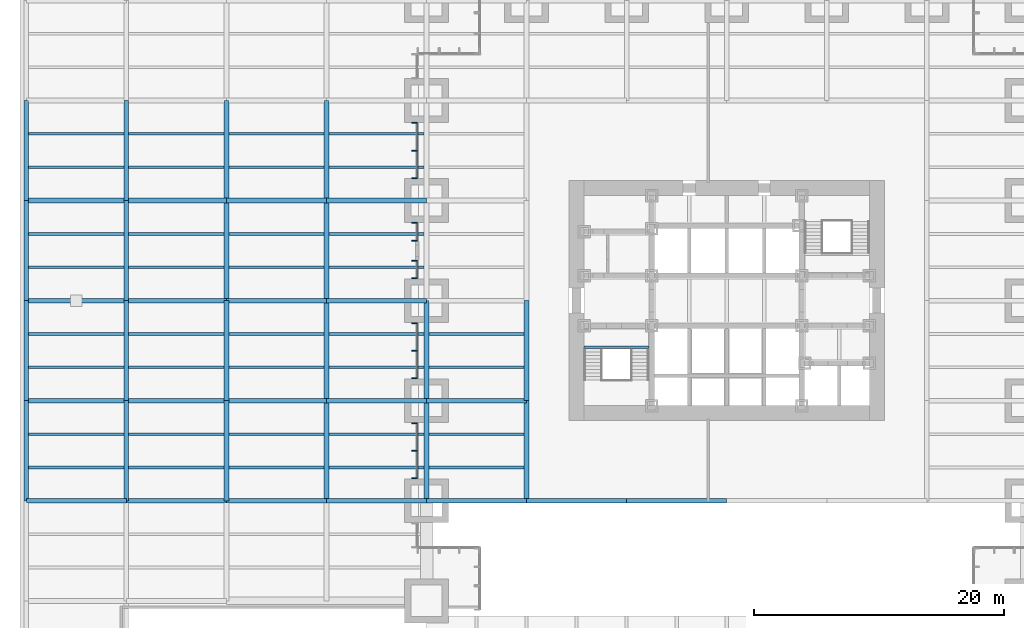
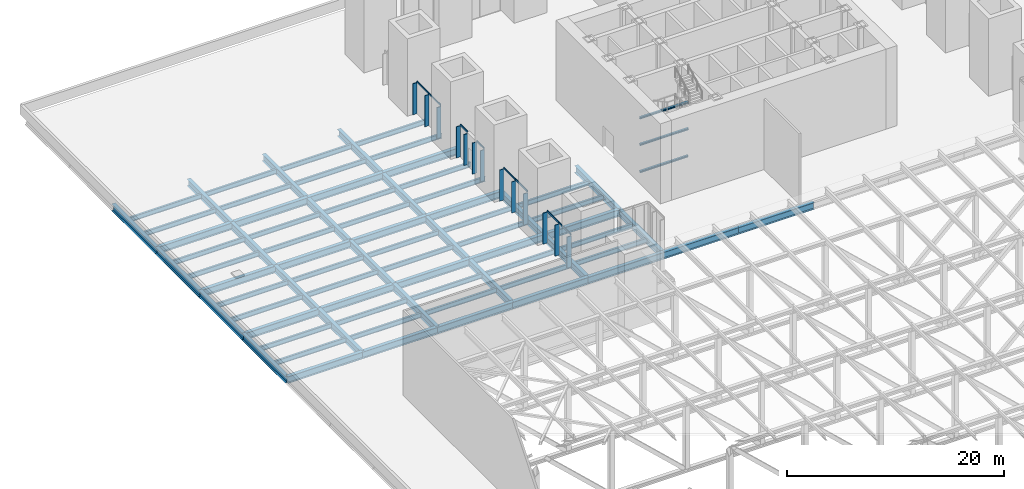
# One storey, part 7 of 20: 79 beams, 21 members, 5 elements without a shape of their own.
"""IFC4 building model written with IfcOpenShell, lengths in metres."""

import ifcopenshell
import ifcopenshell.guid

model = None  # the IFC model being written
_history = None  # IfcOwnerHistory: only IFC2X3 demands one
_inside = {}  # id of a spatial element -> (the spatial element, [elements in it])
_under = {}  # id of a project, library or spatial element -> (it, [spatial elements below it])
_declared = {}  # id of a project -> (the project, [libraries it declares])
_typed = {}  # id of a type object -> (the type object, [elements of that type])
_made_of = {}  # id of a material, layer set ... -> (it, [elements and type objects made of it])


def new_model(schema):
    """Start an empty IFC model of exactly this schema.

    Asked for "IFC4X3", IfcOpenShell would pick the latest addendum, in which some entities
    have other attributes; the version numbers below select the first issue.
    IFC2X3 requires an IfcOwnerHistory on every rooted entity: one is made here for all.
    """
    global model, _history
    if schema == "IFC4X3":
        model = ifcopenshell.file(schema_version=(4, 3, 0, 0))
    else:
        model = ifcopenshell.file(schema=schema)
    _inside.clear()
    _under.clear()
    _declared.clear()
    _typed.clear()
    _made_of.clear()
    _history = None
    if model.schema == "IFC2X3":
        org = make("IfcOrganization", Name="unknown")
        user = make(
            "IfcPersonAndOrganization",
            ThePerson=make("IfcPerson", FamilyName="unknown"),
            TheOrganization=org,
        )
        app = make(
            "IfcApplication",
            ApplicationDeveloper=org,
            Version="unknown",
            ApplicationFullName="unknown",
            ApplicationIdentifier="unknown",
        )
        _history = make(
            "IfcOwnerHistory",
            OwningUser=user,
            OwningApplication=app,
            ChangeAction="ADDED",
            CreationDate=0,
        )
    return model


def make(cls, **values):
    """One entity of the class cls with the attributes given. An attribute that is None is left unset."""
    return model.create_entity(
        cls, **{name: value for name, value in values.items() if value is not None}
    )


def rooted(cls, **values):
    """An entity with a GlobalId (a new one), such as an element, a storey or a relation."""
    return make(cls, GlobalId=ifcopenshell.guid.new(), OwnerHistory=_history, **values)


def si_unit(unit_type, name, prefix=None):
    """IfcSIUnit, for example si_unit("LENGTHUNIT", "METRE", prefix="MILLI")."""
    return make("IfcSIUnit", UnitType=unit_type, Prefix=prefix, Name=name)


def assignment(units):
    """IfcUnitAssignment: the units of a project."""
    return None if units is None else make("IfcUnitAssignment", Units=units)


def point(xyz):
    """IfcCartesianPoint."""
    return None if xyz is None else make("IfcCartesianPoint", Coordinates=xyz)


def direction(xyz):
    """IfcDirection."""
    return None if xyz is None else make("IfcDirection", DirectionRatios=xyz)


def frame(location, z_axis=None, x_axis=None):
    """IfcAxis2Placement3D, a coordinate frame: its origin and axes. An axis left out is left unset."""
    return make(
        "IfcAxis2Placement3D",
        Location=point(location),
        Axis=direction(z_axis),
        RefDirection=direction(x_axis),
    )


def frame_2d(location, x_axis=None):
    """IfcAxis2Placement2D, a coordinate frame in the plane: its origin and x axis."""
    return make(
        "IfcAxis2Placement2D", Location=point(location), RefDirection=direction(x_axis)
    )


def origin():
    """The frame at (0, 0, 0) with its axes left unset."""
    return frame((0.0, 0.0, 0.0))


def origin_2d():
    """The frame at (0, 0) in the plane with its x axis left unset."""
    return frame_2d((0.0, 0.0))


def place(relative_to, where):
    """IfcLocalPlacement: puts the frame where relative to a parent placement (None: the world)."""
    return make(
        "IfcLocalPlacement", PlacementRelTo=relative_to, RelativePlacement=where
    )


def context(
    kind, dimensions, precision=None, world=None, true_north=None, identifier=None
):
    """IfcGeometricRepresentationContext, for example the 3D "Model" context."""
    return make(
        "IfcGeometricRepresentationContext",
        ContextIdentifier=identifier,
        ContextType=kind,
        CoordinateSpaceDimension=dimensions,
        Precision=precision,
        WorldCoordinateSystem=world,
        TrueNorth=true_north,
    )


def subcontext(parent, identifier, kind, view, scale=None):
    """IfcGeometricRepresentationSubContext, for example "Body" below "Model"."""
    return make(
        "IfcGeometricRepresentationSubContext",
        ContextIdentifier=identifier,
        ContextType=kind,
        ParentContext=parent,
        TargetScale=scale,
        TargetView=view,
    )


def project(units=None, contexts=None):
    """IfcProject with its units and contexts."""
    return rooted(
        "IfcProject",
        Name="project",
        RepresentationContexts=contexts,
        UnitsInContext=assignment(units),
    )


def spatial(cls, under=None, at=None, **own):
    """A site, building, storey or space (cls), placed at a placement, below another one or the project."""
    s = rooted(cls, ObjectPlacement=at, **own)
    if under is not None:
        _under.setdefault(under.id(), (under, []))[1].append(s)
    return s


def profile(cls, at=None, kind="AREA", **sizes):
    """A parametric profile (cls). Its sizes go by their IFC names, for example OverallWidth=200.0."""
    return make(cls, ProfileType=kind, Position=at, **sizes)


def rectangle(**sizes):
    """IfcRectangleProfileDef."""
    return profile("IfcRectangleProfileDef", **sizes)


def i_section(**sizes):
    """IfcIShapeProfileDef."""
    return profile("IfcIShapeProfileDef", **sizes)


def extrude(swept, where, along, depth):
    """IfcExtrudedAreaSolid: the profile swept, set in the frame where, extruded along a direction by depth."""
    return make(
        "IfcExtrudedAreaSolid",
        SweptArea=swept,
        Position=where,
        ExtrudedDirection=direction(along),
        Depth=depth,
    )


def shape(context_of_items, identifier, shape_type, items):
    """IfcShapeRepresentation: the items that make up one representation, for example the "Body"."""
    return make(
        "IfcShapeRepresentation",
        ContextOfItems=context_of_items,
        RepresentationIdentifier=identifier,
        RepresentationType=shape_type,
        Items=items,
    )


def material(Name=None, Category=None):
    """IfcMaterial."""
    return make("IfcMaterial", Name=Name, Category=Category)


def material_profile(
    of_material, cross_section, Name=None, Category=None, Priority=None
):
    """IfcMaterialProfile: a cross section and its material."""
    return make(
        "IfcMaterialProfile",
        Name=Name,
        Material=of_material,
        Profile=cross_section,
        Priority=Priority,
        Category=Category,
    )


def profile_set(profiles, Name=None, composite=None):
    """IfcMaterialProfileSet."""
    return make(
        "IfcMaterialProfileSet",
        Name=Name,
        MaterialProfiles=profiles,
        CompositeProfile=composite,
    )


def made_of(thing, what):
    """Note that an element or type object is made of a material, layer set ...; save() writes the relation."""
    if what is not None:
        _made_of.setdefault(what.id(), (what, []))[1].append(thing)
    return thing


def type_object(cls, material=None, **own):
    """A type object (cls), such as IfcWallType, which elements share."""
    return made_of(rooted(cls, **own), material)


def element(
    cls,
    number,
    at=None,
    inside=None,
    cuts=None,
    type_object=None,
    material=None,
    context=None,
    identifier="Body",
    shape_type=None,
    held_by="IfcProductDefinitionShape",
    body=None,
    shapes=None,
    **own,
):
    """One element of the class cls, such as IfcWall. Its Tag is "e" and its number.

    at: its placement. inside: the storey or other place that contains it. cuts: it is an
    opening in that element (IfcRelVoidsElement). A single representation is given by context,
    identifier, shape_type and body (its items); several are given by shapes. held_by: the class
    of the entity that holds the representations. save() writes the other relations.
    """
    e = rooted(cls, Tag="e%d" % number, ObjectPlacement=at, **own)
    if body is not None:
        shapes = [shape(context, identifier, shape_type, body)]
    if shapes is not None:
        e.Representation = make(held_by, Representations=shapes)
    if inside is not None:
        _inside.setdefault(inside.id(), (inside, []))[1].append(e)
    if cuts is not None:
        rooted(
            "IfcRelVoidsElement", RelatingBuildingElement=cuts, RelatedOpeningElement=e
        )
    if type_object is not None:
        _typed.setdefault(type_object.id(), (type_object, []))[1].append(e)
    return made_of(e, material)


def aggregate(whole, parts):
    """IfcRelAggregates: a whole, such as a stair, and the parts it consists of."""
    return rooted("IfcRelAggregates", RelatingObject=whole, RelatedObjects=parts)


def save(model, path):
    """Write the relations noted so far, then the file.

    IfcRelAggregates (storeys below a building ...), IfcRelContainedInSpatialStructure (elements
    in a storey), IfcRelDefinesByType, IfcRelAssociatesMaterial and IfcRelDeclares: one each for
    every whole, place, type object, material and project.
    """
    for whole, parts in _under.values():
        aggregate(whole, parts)
    for where, things in _inside.values():
        rooted(
            "IfcRelContainedInSpatialStructure",
            RelatedElements=things,
            RelatingStructure=where,
        )
    for kind, things in _typed.values():
        rooted("IfcRelDefinesByType", RelatedObjects=things, RelatingType=kind)
    for what, things in _made_of.values():
        rooted("IfcRelAssociatesMaterial", RelatedObjects=things, RelatingMaterial=what)
    for by, libraries in _declared.values():
        rooted("IfcRelDeclares", RelatingContext=by, RelatedDefinitions=libraries)
    model.write(path)


model = new_model("IFC4")

# Units and contexts
model_context = context("Model", 3, precision=1e-05, world=origin(), true_north=direction((0.0, 1.0)))
body_context = subcontext(model_context, "Body", "Model", "MODEL_VIEW")
ifc_project = project(units=[si_unit("LENGTHUNIT", "METRE"), si_unit("AREAUNIT", "SQUARE_METRE"), si_unit("VOLUMEUNIT", "CUBIC_METRE"), si_unit("PLANEANGLEUNIT", "RADIAN"), si_unit("MASSUNIT", "GRAM", prefix="KILO")], contexts=[model_context])

# Site, building, storey
site_placement = place(None, origin())
site = spatial("IfcSite", under=ifc_project, at=site_placement, CompositionType="ELEMENT")
building_placement = place(site_placement, origin())
building = spatial("IfcBuilding", under=site, at=building_placement, Name="Daluyong Arena Tower", CompositionType="ELEMENT")
storey_placement = place(building_placement, frame((0.0, 0.0, 25.89990234375)))
storey = spatial("IfcBuildingStorey", under=building, at=storey_placement, Name="L05", CompositionType="ELEMENT", Elevation=25.89990234375)

# Curtain wall, members
ifc_material_1 = material(Name="Bronze anodised aluminium and glass", Category="aluminium")
curtain_wall_type = type_object("IfcCurtainWallType", Name="Curtain wall CW6", PredefinedType="USERDEFINED", material=ifc_material_1)
curtain_wall_1_placement = place(storey_placement, origin())
curtain_wall_1 = element("IfcCurtainWall", 1, at=curtain_wall_1_placement, inside=storey, type_object=curtain_wall_type, Name="curtain wall L05 W bay 2", ObjectType="UNITISED CURTAIN WALL", PredefinedType="USERDEFINED")
ifc_material_2 = material(Name="Bronze anodised aluminium fin", Category="aluminium")
ifc_material_profile_1 = material_profile(ifc_material_2, rectangle(XDim=0.449951171875, YDim=0.080078125, at=origin_2d()))
ifc_profile_set_1 = profile_set([ifc_material_profile_1], Name="Bronze anodised aluminium fin")
member_type_1 = type_object("IfcMemberType", Name="CW6 bronze fin 450x80", PredefinedType="MULLION", material=ifc_profile_set_1)
member_1_placement = place(storey_placement, frame((31.02490234375, 94.2099609375, 0.0), z_axis=(0.0, 0.0, 1.0), x_axis=(1.0, 0.0, 0.0)))
member_1 = element("IfcMember", 2, at=member_1_placement, type_object=member_type_1, Name="curtain wall L05 W bay 2 fin 1", PredefinedType="MULLION", context=body_context, shape_type="SweptSolid", body=[
    extrude(rectangle(XDim=0.449951171875, YDim=0.080078125, at=origin_2d()), origin(), (0.0, 0.0, 1.0), 3.5),
])
member_2_placement = place(storey_placement, frame((31.02490234375, 92.0, 0.0), z_axis=(0.0, 0.0, 1.0), x_axis=(1.0, 0.0, 0.0)))
member_2 = element("IfcMember", 3, at=member_2_placement, type_object=member_type_1, Name="curtain wall L05 W bay 2 fin 2", PredefinedType="MULLION", context=body_context, shape_type="SweptSolid", body=[
    extrude(rectangle(XDim=0.449951171875, YDim=0.080078125, at=origin_2d()), origin(), (0.0, 0.0, 1.0), 3.5),
])
member_3_placement = place(storey_placement, frame((31.02490234375, 89.7900390625, 0.0), z_axis=(0.0, 0.0, 1.0), x_axis=(1.0, 0.0, 0.0)))
member_3 = element("IfcMember", 4, at=member_3_placement, type_object=member_type_1, Name="curtain wall L05 W bay 2 fin 3", PredefinedType="MULLION", context=body_context, shape_type="SweptSolid", body=[
    extrude(rectangle(XDim=0.449951171875, YDim=0.080078125, at=origin_2d()), origin(), (0.0, 0.0, 1.0), 3.5),
])

curtain_wall_2_placement = place(storey_placement, origin())
curtain_wall_2 = element("IfcCurtainWall", 5, at=curtain_wall_2_placement, inside=storey, type_object=curtain_wall_type, Name="curtain wall L05 W bay 3 part 1", ObjectType="UNITISED CURTAIN WALL", PredefinedType="USERDEFINED")
member_4_placement = place(storey_placement, frame((31.02490234375, 86.2099609375, 0.0), z_axis=(0.0, 0.0, 1.0), x_axis=(1.0, 0.0, 0.0)))
member_4 = element("IfcMember", 6, at=member_4_placement, type_object=member_type_1, Name="curtain wall L05 W bay 3 part 1 fin 1", PredefinedType="MULLION", context=body_context, shape_type="SweptSolid", body=[
    extrude(rectangle(XDim=0.449951171875, YDim=0.080078125, at=origin_2d()), origin(), (0.0, 0.0, 1.0), 3.5),
])
member_5_placement = place(storey_placement, frame((31.02490234375, 84.7900390625, 0.0), z_axis=(0.0, 0.0, 1.0), x_axis=(1.0, 0.0, 0.0)))
member_5 = element("IfcMember", 7, at=member_5_placement, type_object=member_type_1, Name="curtain wall L05 W bay 3 part 1 fin 2", PredefinedType="MULLION", context=body_context, shape_type="SweptSolid", body=[
    extrude(rectangle(XDim=0.449951171875, YDim=0.080078125, at=origin_2d()), origin(), (0.0, 0.0, 1.0), 3.5),
])

curtain_wall_3_placement = place(storey_placement, origin())
curtain_wall_3 = element("IfcCurtainWall", 8, at=curtain_wall_3_placement, inside=storey, type_object=curtain_wall_type, Name="curtain wall L05 W bay 3 part 2", ObjectType="UNITISED CURTAIN WALL", PredefinedType="USERDEFINED")
member_6_placement = place(storey_placement, frame((31.02490234375, 83.2099609375, 0.0), z_axis=(0.0, 0.0, 1.0), x_axis=(1.0, 0.0, 0.0)))
member_6 = element("IfcMember", 9, at=member_6_placement, type_object=member_type_1, Name="curtain wall L05 W bay 3 part 2 fin 1", PredefinedType="MULLION", context=body_context, shape_type="SweptSolid", body=[
    extrude(rectangle(XDim=0.449951171875, YDim=0.080078125, at=origin_2d()), origin(), (0.0, 0.0, 1.0), 3.5),
])
member_7_placement = place(storey_placement, frame((31.02490234375, 81.7900390625, 0.0), z_axis=(0.0, 0.0, 1.0), x_axis=(1.0, 0.0, 0.0)))
member_7 = element("IfcMember", 10, at=member_7_placement, type_object=member_type_1, Name="curtain wall L05 W bay 3 part 2 fin 2", PredefinedType="MULLION", context=body_context, shape_type="SweptSolid", body=[
    extrude(rectangle(XDim=0.449951171875, YDim=0.080078125, at=origin_2d()), origin(), (0.0, 0.0, 1.0), 3.5),
])

curtain_wall_4_placement = place(storey_placement, origin())
curtain_wall_4 = element("IfcCurtainWall", 11, at=curtain_wall_4_placement, inside=storey, type_object=curtain_wall_type, Name="curtain wall L05 W bay 4", ObjectType="UNITISED CURTAIN WALL", PredefinedType="USERDEFINED")
member_8_placement = place(storey_placement, frame((31.02490234375, 78.2099609375, 0.0), z_axis=(0.0, 0.0, 1.0), x_axis=(1.0, 0.0, 0.0)))
member_8 = element("IfcMember", 12, at=member_8_placement, type_object=member_type_1, Name="curtain wall L05 W bay 4 fin 1", PredefinedType="MULLION", context=body_context, shape_type="SweptSolid", body=[
    extrude(rectangle(XDim=0.449951171875, YDim=0.080078125, at=origin_2d()), origin(), (0.0, 0.0, 1.0), 3.5),
])
member_9_placement = place(storey_placement, frame((31.02490234375, 76.0, 0.0), z_axis=(0.0, 0.0, 1.0), x_axis=(1.0, 0.0, 0.0)))
member_9 = element("IfcMember", 13, at=member_9_placement, type_object=member_type_1, Name="curtain wall L05 W bay 4 fin 2", PredefinedType="MULLION", context=body_context, shape_type="SweptSolid", body=[
    extrude(rectangle(XDim=0.449951171875, YDim=0.080078125, at=origin_2d()), origin(), (0.0, 0.0, 1.0), 3.5),
])
member_10_placement = place(storey_placement, frame((31.02490234375, 73.7900390625, 0.0), z_axis=(0.0, 0.0, 1.0), x_axis=(1.0, 0.0, 0.0)))
member_10 = element("IfcMember", 14, at=member_10_placement, type_object=member_type_1, Name="curtain wall L05 W bay 4 fin 3", PredefinedType="MULLION", context=body_context, shape_type="SweptSolid", body=[
    extrude(rectangle(XDim=0.449951171875, YDim=0.080078125, at=origin_2d()), origin(), (0.0, 0.0, 1.0), 3.5),
])

curtain_wall_5_placement = place(storey_placement, origin())
curtain_wall_5 = element("IfcCurtainWall", 15, at=curtain_wall_5_placement, inside=storey, type_object=curtain_wall_type, Name="curtain wall L05 W bay 5", ObjectType="UNITISED CURTAIN WALL", PredefinedType="USERDEFINED")
member_11_placement = place(storey_placement, frame((31.02490234375, 70.2099609375, 0.0), z_axis=(0.0, 0.0, 1.0), x_axis=(1.0, 0.0, 0.0)))
member_11 = element("IfcMember", 16, at=member_11_placement, type_object=member_type_1, Name="curtain wall L05 W bay 5 fin 1", PredefinedType="MULLION", context=body_context, shape_type="SweptSolid", body=[
    extrude(rectangle(XDim=0.449951171875, YDim=0.080078125, at=origin_2d()), origin(), (0.0, 0.0, 1.0), 3.5),
])
member_12_placement = place(storey_placement, frame((31.02490234375, 68.0, 0.0), z_axis=(0.0, 0.0, 1.0), x_axis=(1.0, 0.0, 0.0)))
member_12 = element("IfcMember", 17, at=member_12_placement, type_object=member_type_1, Name="curtain wall L05 W bay 5 fin 2", PredefinedType="MULLION", context=body_context, shape_type="SweptSolid", body=[
    extrude(rectangle(XDim=0.449951171875, YDim=0.080078125, at=origin_2d()), origin(), (0.0, 0.0, 1.0), 3.5),
])
member_13_placement = place(storey_placement, frame((31.02490234375, 65.7900390625, 0.0), z_axis=(0.0, 0.0, 1.0), x_axis=(1.0, 0.0, 0.0)))
member_13 = element("IfcMember", 18, at=member_13_placement, type_object=member_type_1, Name="curtain wall L05 W bay 5 fin 3", PredefinedType="MULLION", context=body_context, shape_type="SweptSolid", body=[
    extrude(rectangle(XDim=0.449951171875, YDim=0.080078125, at=origin_2d()), origin(), (0.0, 0.0, 1.0), 3.5),
])

# Member
ifc_material_3 = material(Name="Bronze anodised aluminium", Category="aluminium")
ifc_material_profile_2 = material_profile(ifc_material_3, rectangle(XDim=0.080078125, YDim=0.199951171875, at=origin_2d()))
ifc_profile_set_2 = profile_set([ifc_material_profile_2], Name="Bronze anodised aluminium")
member_type_2 = type_object("IfcMemberType", Name="CW6 stack transom 200x80", PredefinedType="USERDEFINED", material=ifc_profile_set_2)
member_14_placement = place(storey_placement, frame((31.25, 94.169921875, 3.60009765625), z_axis=(0.0, -1.0, 0.0), x_axis=(1.0, 0.0, 0.0)))
member_14 = element("IfcMember", 19, at=member_14_placement, type_object=member_type_2, Name="curtain wall L05 W bay 2 transom 1", ObjectType="TRANSOM", PredefinedType="USERDEFINED", context=body_context, shape_type="SweptSolid", body=[
    extrude(rectangle(XDim=0.080078125, YDim=0.199951171875, at=origin_2d()), origin(), (0.0, 0.0, 1.0), 2.1298828125),
])

member_15_placement = place(storey_placement, frame((31.25, 91.9599609375, 3.60009765625), z_axis=(0.0, -1.0, 0.0), x_axis=(1.0, 0.0, 0.0)))
member_15 = element("IfcMember", 20, at=member_15_placement, type_object=member_type_2, Name="curtain wall L05 W bay 2 transom 2", ObjectType="TRANSOM", PredefinedType="USERDEFINED", context=body_context, shape_type="SweptSolid", body=[
    extrude(rectangle(XDim=0.080078125, YDim=0.199951171875, at=origin_2d()), origin(), (0.0, 0.0, 1.0), 2.1298828125),
])

aggregate(curtain_wall_1, [member_1, member_2, member_3, member_14, member_15])

member_16_placement = place(storey_placement, frame((31.25, 86.169921875, 3.60009765625), z_axis=(0.0, -1.0, 0.0), x_axis=(1.0, 0.0, 0.0)))
member_16 = element("IfcMember", 21, at=member_16_placement, type_object=member_type_2, Name="curtain wall L05 W bay 3 part 1 transom 1", ObjectType="TRANSOM", PredefinedType="USERDEFINED", context=body_context, shape_type="SweptSolid", body=[
    extrude(rectangle(XDim=0.080078125, YDim=0.199951171875, at=origin_2d()), origin(), (0.0, 0.0, 1.0), 1.33984375),
])

aggregate(curtain_wall_2, [member_4, member_5, member_16])

member_17_placement = place(storey_placement, frame((31.25, 83.169921875, 3.60009765625), z_axis=(0.0, -1.0, 0.0), x_axis=(1.0, 0.0, 0.0)))
member_17 = element("IfcMember", 22, at=member_17_placement, type_object=member_type_2, Name="curtain wall L05 W bay 3 part 2 transom 1", ObjectType="TRANSOM", PredefinedType="USERDEFINED", context=body_context, shape_type="SweptSolid", body=[
    extrude(rectangle(XDim=0.080078125, YDim=0.199951171875, at=origin_2d()), origin(), (0.0, 0.0, 1.0), 1.33984375),
])

aggregate(curtain_wall_3, [member_6, member_7, member_17])

member_18_placement = place(storey_placement, frame((31.25, 78.169921875, 3.60009765625), z_axis=(0.0, -1.0, 0.0), x_axis=(1.0, 0.0, 0.0)))
member_18 = element("IfcMember", 23, at=member_18_placement, type_object=member_type_2, Name="curtain wall L05 W bay 4 transom 1", ObjectType="TRANSOM", PredefinedType="USERDEFINED", context=body_context, shape_type="SweptSolid", body=[
    extrude(rectangle(XDim=0.080078125, YDim=0.199951171875, at=origin_2d()), origin(), (0.0, 0.0, 1.0), 2.1298828125),
])

member_19_placement = place(storey_placement, frame((31.25, 75.9599609375, 3.60009765625), z_axis=(0.0, -1.0, 0.0), x_axis=(1.0, 0.0, 0.0)))
member_19 = element("IfcMember", 24, at=member_19_placement, type_object=member_type_2, Name="curtain wall L05 W bay 4 transom 2", ObjectType="TRANSOM", PredefinedType="USERDEFINED", context=body_context, shape_type="SweptSolid", body=[
    extrude(rectangle(XDim=0.080078125, YDim=0.199951171875, at=origin_2d()), origin(), (0.0, 0.0, 1.0), 2.1298828125),
])

aggregate(curtain_wall_4, [member_8, member_9, member_10, member_18, member_19])

member_20_placement = place(storey_placement, frame((31.25, 70.169921875, 3.60009765625), z_axis=(0.0, -1.0, 0.0), x_axis=(1.0, 0.0, 0.0)))
member_20 = element("IfcMember", 25, at=member_20_placement, type_object=member_type_2, Name="curtain wall L05 W bay 5 transom 1", ObjectType="TRANSOM", PredefinedType="USERDEFINED", context=body_context, shape_type="SweptSolid", body=[
    extrude(rectangle(XDim=0.080078125, YDim=0.199951171875, at=origin_2d()), origin(), (0.0, 0.0, 1.0), 2.1298828125),
])

member_21_placement = place(storey_placement, frame((31.25, 67.9599609375, 3.60009765625), z_axis=(0.0, -1.0, 0.0), x_axis=(1.0, 0.0, 0.0)))
member_21 = element("IfcMember", 26, at=member_21_placement, type_object=member_type_2, Name="curtain wall L05 W bay 5 transom 2", ObjectType="TRANSOM", PredefinedType="USERDEFINED", context=body_context, shape_type="SweptSolid", body=[
    extrude(rectangle(XDim=0.080078125, YDim=0.199951171875, at=origin_2d()), origin(), (0.0, 0.0, 1.0), 2.1298828125),
])

aggregate(curtain_wall_5, [member_11, member_12, member_13, member_20, member_21])

# Beams
ifc_material_4 = material(Name="Steel ASTM A992 Grade 50", Category="steel")
ifc_material_profile_3 = material_profile(ifc_material_4, i_section(OverallWidth=0.209228515625, OverallDepth=0.533447265625, WebThickness=0.01025390625, FlangeThickness=0.015625, at=origin_2d()))
ifc_profile_set_3 = profile_set([ifc_material_profile_3], Name="Steel ASTM A992 Grade 50")
beam_type_1 = type_object("IfcBeamType", Name="Podium floor beam W21X62", PredefinedType="BEAM", material=ifc_profile_set_3)
for number, where, z_axis, x_axis, name in (
    (27, (0.1904296875, 66.666748046875, -0.5166015625), (1.0, 0.0, 0.0), (0.0, 1.0, 0.0), "podium floor beam PB1"),
    (28, (0.1904296875, 69.333251953125, -0.5166015625), (1.0, 0.0, 0.0), (0.0, 1.0, 0.0), "podium floor beam PB1"),
    (29, (0.1904296875, 74.666748046875, -0.5166015625), (1.0, 0.0, 0.0), (0.0, 1.0, 0.0), "podium floor beam PB1"),
    (30, (0.1904296875, 77.333251953125, -0.5166015625), (1.0, 0.0, 0.0), (0.0, 1.0, 0.0), "podium floor beam PB1"),
    (31, (0.1904296875, 82.666748046875, -0.5166015625), (1.0, 0.0, 0.0), (0.0, 1.0, 0.0), "podium floor beam PB1"),
    (32, (0.1904296875, 85.333251953125, -0.5166015625), (1.0, 0.0, 0.0), (0.0, 1.0, 0.0), "podium floor beam PB1"),
    (33, (0.1904296875, 90.666748046875, -0.5166015625), (1.0, 0.0, 0.0), (0.0, 1.0, 0.0), "podium floor beam PB1"),
    (34, (0.1904296875, 93.333251953125, -0.5166015625), (1.0, 0.0, 0.0), (0.0, 1.0, 0.0), "podium floor beam PB1"),
    (35, (8.1904296875, 66.666748046875, -0.5166015625), (1.0, 0.0, 0.0), (0.0, 1.0, 0.0), "podium floor beam PB1"),
    (36, (8.1904296875, 69.333251953125, -0.5166015625), (1.0, 0.0, 0.0), (0.0, 1.0, 0.0), "podium floor beam PB1"),
    (37, (8.1904296875, 74.666748046875, -0.5166015625), (1.0, 0.0, 0.0), (0.0, 1.0, 0.0), "podium floor beam PB1"),
    (38, (8.1904296875, 77.333251953125, -0.5166015625), (1.0, 0.0, 0.0), (0.0, 1.0, 0.0), "podium floor beam PB1"),
    (39, (8.1904296875, 82.666748046875, -0.5166015625), (1.0, 0.0, 0.0), (0.0, 1.0, 0.0), "podium floor beam PB1"),
    (40, (8.1904296875, 85.333251953125, -0.5166015625), (1.0, 0.0, 0.0), (0.0, 1.0, 0.0), "podium floor beam PB1"),
    (41, (8.1904296875, 90.666748046875, -0.5166015625), (1.0, 0.0, 0.0), (0.0, 1.0, 0.0), "podium floor beam PB1"),
    (42, (8.1904296875, 93.333251953125, -0.5166015625), (1.0, 0.0, 0.0), (0.0, 1.0, 0.0), "podium floor beam PB1"),
    (43, (16.1904296875, 66.666748046875, -0.5166015625), (1.0, 0.0, 0.0), (0.0, 1.0, 0.0), "podium floor beam PB1"),
    (44, (16.1904296875, 69.333251953125, -0.5166015625), (1.0, 0.0, 0.0), (0.0, 1.0, 0.0), "podium floor beam PB1"),
    (45, (16.1904296875, 74.666748046875, -0.5166015625), (1.0, 0.0, 0.0), (0.0, 1.0, 0.0), "podium floor beam PB1"),
    (46, (16.1904296875, 77.333251953125, -0.5166015625), (1.0, 0.0, 0.0), (0.0, 1.0, 0.0), "podium floor beam PB1"),
    (47, (16.1904296875, 82.666748046875, -0.5166015625), (1.0, 0.0, 0.0), (0.0, 1.0, 0.0), "podium floor beam PB1"),
    (48, (16.1904296875, 85.333251953125, -0.5166015625), (1.0, 0.0, 0.0), (0.0, 1.0, 0.0), "podium floor beam PB1"),
    (49, (16.1904296875, 90.666748046875, -0.5166015625), (1.0, 0.0, 0.0), (0.0, 1.0, 0.0), "podium floor beam PB1"),
    (50, (16.1904296875, 93.333251953125, -0.5166015625), (1.0, 0.0, 0.0), (0.0, 1.0, 0.0), "podium floor beam PB1"),
    (51, (24.1904296875, 66.666748046875, -0.5166015625), (1.0, 0.0, 0.0), (0.0, 1.0, 0.0), "podium floor beam PB1"),
    (52, (24.1904296875, 69.333251953125, -0.5166015625), (1.0, 0.0, 0.0), (0.0, 1.0, 0.0), "podium floor beam PB1"),
    (53, (24.1904296875, 74.666748046875, -0.5166015625), (1.0, 0.0, 0.0), (0.0, 1.0, 0.0), "podium floor beam PB1"),
    (54, (24.1904296875, 77.333251953125, -0.5166015625), (1.0, 0.0, 0.0), (0.0, 1.0, 0.0), "podium floor beam PB1"),
    (55, (24.1904296875, 82.666748046875, -0.5166015625), (1.0, 0.0, 0.0), (0.0, 1.0, 0.0), "podium floor beam PB1"),
    (56, (24.1904296875, 85.333251953125, -0.5166015625), (1.0, 0.0, 0.0), (0.0, 1.0, 0.0), "podium floor beam PB1"),
    (57, (24.1904296875, 90.666748046875, -0.5166015625), (1.0, 0.0, 0.0), (0.0, 1.0, 0.0), "podium floor beam PB1"),
    (58, (24.1904296875, 93.333251953125, -0.5166015625), (1.0, 0.0, 0.0), (0.0, 1.0, 0.0), "podium floor beam PB1"),
    (59, (32.1904296875, 66.666748046875, -0.5166015625), (1.0, 0.0, 0.0), (0.0, 1.0, 0.0), "podium floor beam PB1"),
    (60, (32.1904296875, 69.333251953125, -0.5166015625), (1.0, 0.0, 0.0), (0.0, 1.0, 0.0), "podium floor beam PB1"),
    (61, (32.1904296875, 74.666748046875, -0.5166015625), (1.0, 0.0, 0.0), (0.0, 1.0, 0.0), "podium floor beam PB1"),
    (62, (32.1904296875, 77.333251953125, -0.5166015625), (1.0, 0.0, 0.0), (0.0, 1.0, 0.0), "podium floor beam PB1"),
):
    element("IfcBeam", number, at=place(storey_placement, frame(where, z_axis=z_axis, x_axis=x_axis)), inside=storey, type_object=beam_type_1, Name=name, PredefinedType="BEAM", context=body_context, shape_type="SweptSolid", body=[
        extrude(i_section(OverallWidth=0.209228515625, OverallDepth=0.533447265625, WebThickness=0.01025390625, FlangeThickness=0.015625, at=origin_2d()), origin(), (0.0, 0.0, 1.0), 7.619140625),
    ])
ifc_material_5 = material(Name="Steel ASTM A992 Grade 50", Category="steel")
ifc_material_profile_4 = material_profile(ifc_material_5, i_section(OverallWidth=0.381103515625, OverallDepth=0.772216796875, WebThickness=0.0166015625, FlangeThickness=0.027099609375, at=origin_2d()))
ifc_profile_set_4 = profile_set([ifc_material_profile_4], Name="Steel ASTM A992 Grade 50")
beam_type_2 = type_object("IfcBeamType", Name="Podium girder W30X173", PredefinedType="BEAM", material=ifc_profile_set_4)
for number, where, z_axis, x_axis, name in (
    (63, (0.0, 64.0, -0.635986328125), (1.0, 0.0, 0.0), (0.0, 1.0, 0.0), "podium girder PG1"),
    (64, (0.0, 64.0, -0.635986328125), (0.0, 1.0, 0.0), (-1.0, 0.0, 0.0), "podium girder PG1"),
    (65, (0.0, 72.0, -0.635986328125), (1.0, 0.0, 0.0), (0.0, 1.0, 0.0), "podium girder PG1"),
    (66, (0.0, 72.0, -0.635986328125), (0.0, 1.0, 0.0), (-1.0, 0.0, 0.0), "podium girder PG1"),
    (67, (0.0, 80.0, -0.635986328125), (1.0, 0.0, 0.0), (0.0, 1.0, 0.0), "podium girder PG1"),
    (68, (0.0, 80.0, -0.635986328125), (0.0, 1.0, 0.0), (-1.0, 0.0, 0.0), "podium girder PG1"),
    (69, (0.0, 88.0, -0.635986328125), (1.0, 0.0, 0.0), (0.0, 1.0, 0.0), "podium girder PG1"),
    (70, (0.0, 88.0, -0.635986328125), (0.0, 1.0, 0.0), (-1.0, 0.0, 0.0), "podium girder PG1"),
    (71, (8.0, 64.0, -0.635986328125), (1.0, 0.0, 0.0), (0.0, 1.0, 0.0), "podium girder PG1"),
    (72, (8.0, 64.0, -0.635986328125), (0.0, 1.0, 0.0), (-1.0, 0.0, 0.0), "podium girder PG1"),
    (73, (8.0, 72.0, -0.635986328125), (1.0, 0.0, 0.0), (0.0, 1.0, 0.0), "podium girder PG1"),
    (74, (8.0, 72.0, -0.635986328125), (0.0, 1.0, 0.0), (-1.0, 0.0, 0.0), "podium girder PG1"),
    (75, (8.0, 80.0, -0.635986328125), (1.0, 0.0, 0.0), (0.0, 1.0, 0.0), "podium girder PG1"),
    (76, (8.0, 80.0, -0.635986328125), (0.0, 1.0, 0.0), (-1.0, 0.0, 0.0), "podium girder PG1"),
    (77, (8.0, 88.0, -0.635986328125), (1.0, 0.0, 0.0), (0.0, 1.0, 0.0), "podium girder PG1"),
    (78, (8.0, 88.0, -0.635986328125), (0.0, 1.0, 0.0), (-1.0, 0.0, 0.0), "podium girder PG1"),
    (79, (16.0, 64.0, -0.635986328125), (1.0, 0.0, 0.0), (0.0, 1.0, 0.0), "podium girder PG1"),
    (80, (16.0, 64.0, -0.635986328125), (0.0, 1.0, 0.0), (-1.0, 0.0, 0.0), "podium girder PG1"),
    (81, (16.0, 72.0, -0.635986328125), (1.0, 0.0, 0.0), (0.0, 1.0, 0.0), "podium girder PG1"),
    (82, (16.0, 72.0, -0.635986328125), (0.0, 1.0, 0.0), (-1.0, 0.0, 0.0), "podium girder PG1"),
    (83, (16.0, 80.0, -0.635986328125), (1.0, 0.0, 0.0), (0.0, 1.0, 0.0), "podium girder PG1"),
    (84, (16.0, 80.0, -0.635986328125), (0.0, 1.0, 0.0), (-1.0, 0.0, 0.0), "podium girder PG1"),
    (85, (16.0, 88.0, -0.635986328125), (1.0, 0.0, 0.0), (0.0, 1.0, 0.0), "podium girder PG1"),
    (86, (16.0, 88.0, -0.635986328125), (0.0, 1.0, 0.0), (-1.0, 0.0, 0.0), "podium girder PG1"),
    (87, (24.0, 64.0, -0.635986328125), (1.0, 0.0, 0.0), (0.0, 1.0, 0.0), "podium girder PG1"),
    (88, (24.0, 64.0, -0.635986328125), (0.0, 1.0, 0.0), (-1.0, 0.0, 0.0), "podium girder PG1"),
    (89, (24.0, 72.0, -0.635986328125), (1.0, 0.0, 0.0), (0.0, 1.0, 0.0), "podium girder PG1"),
    (90, (24.0, 72.0, -0.635986328125), (0.0, 1.0, 0.0), (-1.0, 0.0, 0.0), "podium girder PG1"),
    (91, (24.0, 80.0, -0.635986328125), (1.0, 0.0, 0.0), (0.0, 1.0, 0.0), "podium girder PG1"),
    (92, (24.0, 80.0, -0.635986328125), (0.0, 1.0, 0.0), (-1.0, 0.0, 0.0), "podium girder PG1"),
    (93, (24.0, 88.0, -0.635986328125), (1.0, 0.0, 0.0), (0.0, 1.0, 0.0), "podium girder PG1"),
    (94, (24.0, 88.0, -0.635986328125), (0.0, 1.0, 0.0), (-1.0, 0.0, 0.0), "podium girder PG1"),
    (95, (32.0, 64.0, -0.635986328125), (1.0, 0.0, 0.0), (0.0, 1.0, 0.0), "podium girder PG1"),
    (96, (32.0, 64.0, -0.635986328125), (0.0, 1.0, 0.0), (-1.0, 0.0, 0.0), "podium girder PG1"),
    (97, (32.0, 72.0, -0.635986328125), (1.0, 0.0, 0.0), (0.0, 1.0, 0.0), "podium girder PG1"),
    (98, (32.0, 72.0, -0.635986328125), (0.0, 1.0, 0.0), (-1.0, 0.0, 0.0), "podium girder PG1"),
    (99, (40.0, 64.0, -0.635986328125), (1.0, 0.0, 0.0), (0.0, 1.0, 0.0), "podium girder PG1"),
    (100, (40.0, 64.0, -0.635986328125), (0.0, 1.0, 0.0), (-1.0, 0.0, 0.0), "podium girder PG1"),
    (101, (40.0, 72.0, -0.635986328125), (0.0, 1.0, 0.0), (-1.0, 0.0, 0.0), "podium girder PG1"),
    (102, (48.0, 64.0, -0.635986328125), (1.0, 0.0, 0.0), (0.0, 1.0, 0.0), "podium girder PG1"),
):
    element("IfcBeam", number, at=place(storey_placement, frame(where, z_axis=z_axis, x_axis=x_axis)), inside=storey, type_object=beam_type_2, Name=name, PredefinedType="BEAM", context=body_context, shape_type="SweptSolid", body=[
        extrude(i_section(OverallWidth=0.381103515625, OverallDepth=0.772216796875, WebThickness=0.0166015625, FlangeThickness=0.027099609375, at=origin_2d()), origin(), (0.0, 0.0, 1.0), 8.0),
    ])
ifc_material_6 = material(Name="Steel ASTM A992 Grade 50", Category="steel")
ifc_material_profile_5 = material_profile(ifc_material_6, i_section(OverallWidth=0.203125, OverallDepth=0.203125, WebThickness=0.00732421875, FlangeThickness=0.010986328125, at=origin_2d()))
ifc_profile_set_5 = profile_set([ifc_material_profile_5], Name="Steel ASTM A992 Grade 50")
beam_type_3 = type_object("IfcBeamType", Name="Stair landing beam W8X31", PredefinedType="BEAM", material=ifc_profile_set_5)
beam_placement = place(storey_placement, frame((44.60009765625, 76.276611328125, -0.3515625), z_axis=(1.0, 0.0, 0.0), x_axis=(0.0, 1.0, 0.0)))
element("IfcBeam", 103, at=beam_placement, inside=storey, type_object=beam_type_3, Name="exit stair A landing beam", PredefinedType="BEAM", context=body_context, shape_type="SweptSolid", body=[
    extrude(i_section(OverallWidth=0.203125, OverallDepth=0.203125, WebThickness=0.00732421875, FlangeThickness=0.010986328125, at=origin_2d()), origin(), (0.0, 0.0, 1.0), 5.14990234375),
])
for number, where, z_axis, x_axis, name in (
    (104, (44.60009765625, 76.276611328125, 2.698486328125), (1.0, 0.0, 0.0), (0.0, 1.0, 0.0), "exit stair A landing beam"),
    (105, (44.60009765625, 76.276611328125, 5.698486328125), (1.0, 0.0, 0.0), (0.0, 1.0, 0.0), "exit stair A landing beam"),
):
    element("IfcBeam", number, at=place(storey_placement, frame(where, z_axis=z_axis, x_axis=x_axis)), inside=storey, type_object=beam_type_3, Name=name, PredefinedType="BEAM", context=body_context, shape_type="SweptSolid", body=[
        extrude(i_section(OverallWidth=0.203125, OverallDepth=0.203125, WebThickness=0.00732421875, FlangeThickness=0.010986328125, at=origin_2d()), origin(), (0.0, 0.0, 1.0), 5.1748046875),
    ])

save(model, "model.ifc")
